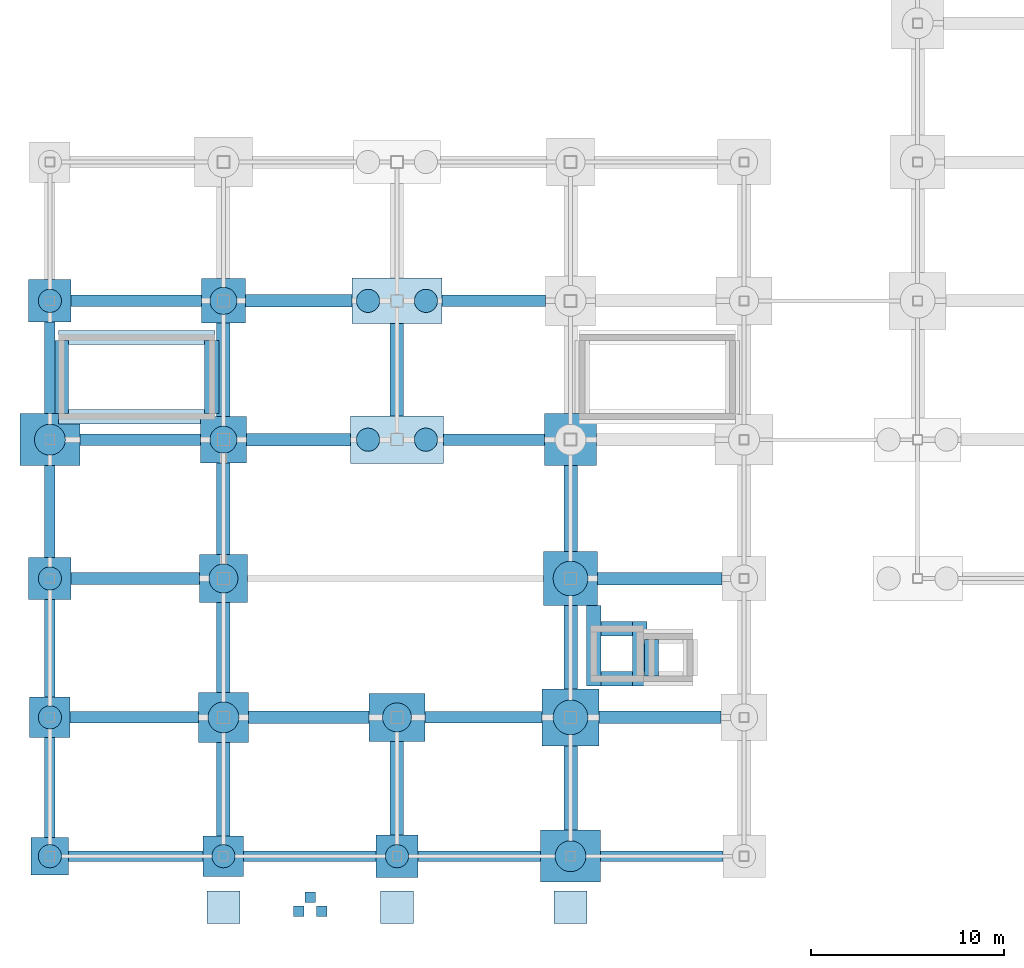
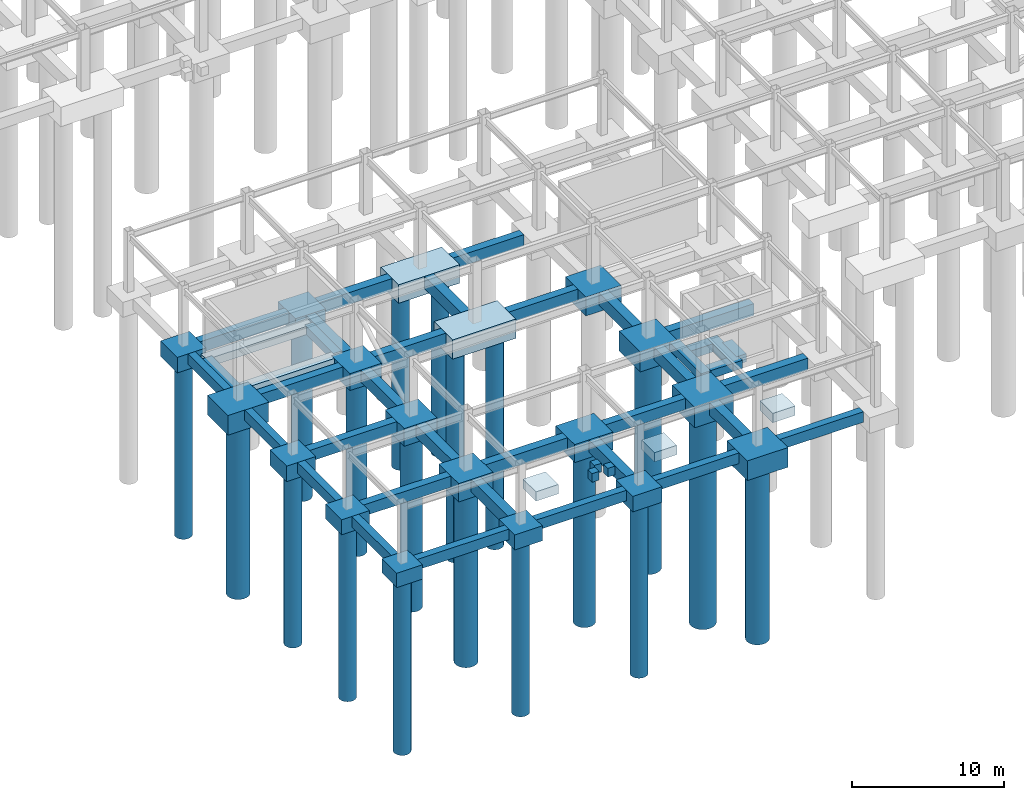
# One storey, part 1 of 28: 62 footings, 19 piles.
"""IFC4 building model written with IfcOpenShell, lengths in metres."""

import ifcopenshell
import ifcopenshell.guid

model = None  # the IFC model being written
_history = None  # IfcOwnerHistory: only IFC2X3 demands one
_inside = {}  # id of a spatial element -> (the spatial element, [elements in it])
_under = {}  # id of a project, library or spatial element -> (it, [spatial elements below it])
_declared = {}  # id of a project -> (the project, [libraries it declares])
_typed = {}  # id of a type object -> (the type object, [elements of that type])
_made_of = {}  # id of a material, layer set ... -> (it, [elements and type objects made of it])


def new_model(schema):
    """Start an empty IFC model of exactly this schema.

    Asked for "IFC4X3", IfcOpenShell would pick the latest addendum, in which some entities
    have other attributes; the version numbers below select the first issue.
    IFC2X3 requires an IfcOwnerHistory on every rooted entity: one is made here for all.
    """
    global model, _history
    if schema == "IFC4X3":
        model = ifcopenshell.file(schema_version=(4, 3, 0, 0))
    else:
        model = ifcopenshell.file(schema=schema)
    _inside.clear()
    _under.clear()
    _declared.clear()
    _typed.clear()
    _made_of.clear()
    _history = None
    if model.schema == "IFC2X3":
        org = make("IfcOrganization", Name="unknown")
        user = make(
            "IfcPersonAndOrganization",
            ThePerson=make("IfcPerson", FamilyName="unknown"),
            TheOrganization=org,
        )
        app = make(
            "IfcApplication",
            ApplicationDeveloper=org,
            Version="unknown",
            ApplicationFullName="unknown",
            ApplicationIdentifier="unknown",
        )
        _history = make(
            "IfcOwnerHistory",
            OwningUser=user,
            OwningApplication=app,
            ChangeAction="ADDED",
            CreationDate=0,
        )
    return model


def make(cls, **values):
    """One entity of the class cls with the attributes given. An attribute that is None is left unset."""
    return model.create_entity(
        cls, **{name: value for name, value in values.items() if value is not None}
    )


def rooted(cls, **values):
    """An entity with a GlobalId (a new one), such as an element, a storey or a relation."""
    return make(cls, GlobalId=ifcopenshell.guid.new(), OwnerHistory=_history, **values)


def si_unit(unit_type, name, prefix=None):
    """IfcSIUnit, for example si_unit("LENGTHUNIT", "METRE", prefix="MILLI")."""
    return make("IfcSIUnit", UnitType=unit_type, Prefix=prefix, Name=name)


def assignment(units):
    """IfcUnitAssignment: the units of a project."""
    return None if units is None else make("IfcUnitAssignment", Units=units)


def point(xyz):
    """IfcCartesianPoint."""
    return None if xyz is None else make("IfcCartesianPoint", Coordinates=xyz)


def direction(xyz):
    """IfcDirection."""
    return None if xyz is None else make("IfcDirection", DirectionRatios=xyz)


def frame(location, z_axis=None, x_axis=None):
    """IfcAxis2Placement3D, a coordinate frame: its origin and axes. An axis left out is left unset."""
    return make(
        "IfcAxis2Placement3D",
        Location=point(location),
        Axis=direction(z_axis),
        RefDirection=direction(x_axis),
    )


def frame_2d(location, x_axis=None):
    """IfcAxis2Placement2D, a coordinate frame in the plane: its origin and x axis."""
    return make(
        "IfcAxis2Placement2D", Location=point(location), RefDirection=direction(x_axis)
    )


def origin():
    """The frame at (0, 0, 0) with its axes left unset."""
    return frame((0.0, 0.0, 0.0))


def origin_2d():
    """The frame at (0, 0) in the plane with its x axis left unset."""
    return frame_2d((0.0, 0.0))


def place(relative_to, where):
    """IfcLocalPlacement: puts the frame where relative to a parent placement (None: the world)."""
    return make(
        "IfcLocalPlacement", PlacementRelTo=relative_to, RelativePlacement=where
    )


def context(
    kind, dimensions, precision=None, world=None, true_north=None, identifier=None
):
    """IfcGeometricRepresentationContext, for example the 3D "Model" context."""
    return make(
        "IfcGeometricRepresentationContext",
        ContextIdentifier=identifier,
        ContextType=kind,
        CoordinateSpaceDimension=dimensions,
        Precision=precision,
        WorldCoordinateSystem=world,
        TrueNorth=true_north,
    )


def subcontext(parent, identifier, kind, view, scale=None):
    """IfcGeometricRepresentationSubContext, for example "Body" below "Model"."""
    return make(
        "IfcGeometricRepresentationSubContext",
        ContextIdentifier=identifier,
        ContextType=kind,
        ParentContext=parent,
        TargetScale=scale,
        TargetView=view,
    )


def project(units=None, contexts=None):
    """IfcProject with its units and contexts."""
    return rooted(
        "IfcProject",
        Name="project",
        RepresentationContexts=contexts,
        UnitsInContext=assignment(units),
    )


def spatial(cls, under=None, at=None, **own):
    """A site, building, storey or space (cls), placed at a placement, below another one or the project."""
    s = rooted(cls, ObjectPlacement=at, **own)
    if under is not None:
        _under.setdefault(under.id(), (under, []))[1].append(s)
    return s


def profile(cls, at=None, kind="AREA", **sizes):
    """A parametric profile (cls). Its sizes go by their IFC names, for example OverallWidth=200.0."""
    return make(cls, ProfileType=kind, Position=at, **sizes)


def rectangle(**sizes):
    """IfcRectangleProfileDef."""
    return profile("IfcRectangleProfileDef", **sizes)


def circle(**sizes):
    """IfcCircleProfileDef."""
    return profile("IfcCircleProfileDef", **sizes)


def extrude(swept, where, along, depth):
    """IfcExtrudedAreaSolid: the profile swept, set in the frame where, extruded along a direction by depth."""
    return make(
        "IfcExtrudedAreaSolid",
        SweptArea=swept,
        Position=where,
        ExtrudedDirection=direction(along),
        Depth=depth,
    )


def shape(context_of_items, identifier, shape_type, items):
    """IfcShapeRepresentation: the items that make up one representation, for example the "Body"."""
    return make(
        "IfcShapeRepresentation",
        ContextOfItems=context_of_items,
        RepresentationIdentifier=identifier,
        RepresentationType=shape_type,
        Items=items,
    )


def material(Name=None, Category=None):
    """IfcMaterial."""
    return make("IfcMaterial", Name=Name, Category=Category)


def material_profile(
    of_material, cross_section, Name=None, Category=None, Priority=None
):
    """IfcMaterialProfile: a cross section and its material."""
    return make(
        "IfcMaterialProfile",
        Name=Name,
        Material=of_material,
        Profile=cross_section,
        Priority=Priority,
        Category=Category,
    )


def profile_set(profiles, Name=None, composite=None):
    """IfcMaterialProfileSet."""
    return make(
        "IfcMaterialProfileSet",
        Name=Name,
        MaterialProfiles=profiles,
        CompositeProfile=composite,
    )


def made_of(thing, what):
    """Note that an element or type object is made of a material, layer set ...; save() writes the relation."""
    if what is not None:
        _made_of.setdefault(what.id(), (what, []))[1].append(thing)
    return thing


def type_object(cls, material=None, **own):
    """A type object (cls), such as IfcWallType, which elements share."""
    return made_of(rooted(cls, **own), material)


def element(
    cls,
    number,
    at=None,
    inside=None,
    cuts=None,
    type_object=None,
    material=None,
    context=None,
    identifier="Body",
    shape_type=None,
    held_by="IfcProductDefinitionShape",
    body=None,
    shapes=None,
    **own,
):
    """One element of the class cls, such as IfcWall. Its Tag is "e" and its number.

    at: its placement. inside: the storey or other place that contains it. cuts: it is an
    opening in that element (IfcRelVoidsElement). A single representation is given by context,
    identifier, shape_type and body (its items); several are given by shapes. held_by: the class
    of the entity that holds the representations. save() writes the other relations.
    """
    e = rooted(cls, Tag="e%d" % number, ObjectPlacement=at, **own)
    if body is not None:
        shapes = [shape(context, identifier, shape_type, body)]
    if shapes is not None:
        e.Representation = make(held_by, Representations=shapes)
    if inside is not None:
        _inside.setdefault(inside.id(), (inside, []))[1].append(e)
    if cuts is not None:
        rooted(
            "IfcRelVoidsElement", RelatingBuildingElement=cuts, RelatedOpeningElement=e
        )
    if type_object is not None:
        _typed.setdefault(type_object.id(), (type_object, []))[1].append(e)
    return made_of(e, material)


def aggregate(whole, parts):
    """IfcRelAggregates: a whole, such as a stair, and the parts it consists of."""
    return rooted("IfcRelAggregates", RelatingObject=whole, RelatedObjects=parts)


def save(model, path):
    """Write the relations noted so far, then the file.

    IfcRelAggregates (storeys below a building ...), IfcRelContainedInSpatialStructure (elements
    in a storey), IfcRelDefinesByType, IfcRelAssociatesMaterial and IfcRelDeclares: one each for
    every whole, place, type object, material and project.
    """
    for whole, parts in _under.values():
        aggregate(whole, parts)
    for where, things in _inside.values():
        rooted(
            "IfcRelContainedInSpatialStructure",
            RelatedElements=things,
            RelatingStructure=where,
        )
    for kind, things in _typed.values():
        rooted("IfcRelDefinesByType", RelatedObjects=things, RelatingType=kind)
    for what, things in _made_of.values():
        rooted("IfcRelAssociatesMaterial", RelatedObjects=things, RelatingMaterial=what)
    for by, libraries in _declared.values():
        rooted("IfcRelDeclares", RelatingContext=by, RelatedDefinitions=libraries)
    model.write(path)


model = new_model("IFC4")

# Units and contexts
model_context = context("Model", 3, precision=1e-05, world=origin(), true_north=direction((0.0, 1.0)))
body_context = subcontext(model_context, "Body", "Model", "MODEL_VIEW")
ifc_project = project(units=[si_unit("LENGTHUNIT", "METRE"), si_unit("AREAUNIT", "SQUARE_METRE"), si_unit("VOLUMEUNIT", "CUBIC_METRE"), si_unit("PLANEANGLEUNIT", "RADIAN"), si_unit("MASSUNIT", "GRAM", prefix="KILO")], contexts=[model_context])

# Site, building, storey
site_placement = place(None, origin())
site = spatial("IfcSite", under=ifc_project, at=site_placement, CompositionType="ELEMENT")
building_placement = place(site_placement, origin())
building = spatial("IfcBuilding", under=site, at=building_placement, Name="Kazanami Central Library", CompositionType="ELEMENT")
storey_placement = place(building_placement, frame((0.0, 0.0, -4.89990234375)))
storey = spatial("IfcBuildingStorey", under=building, at=storey_placement, Name="B01", CompositionType="ELEMENT", Elevation=-4.89990234375)

# Footings
ifc_material_1 = material(Name="Concrete Fc36 (36 MPa)", Category="concrete")
ifc_material_profile_1 = material_profile(ifc_material_1, rectangle(XDim=0.550048828125, YDim=0.85009765625, at=origin_2d()), Name="RC-550x850")
ifc_profile_set_1 = profile_set([ifc_material_profile_1], Name="Concrete Fc36 (36 MPa)")
footing_type_1 = type_object("IfcFootingType", Name="FTG-GB-01", PredefinedType="FOOTING_BEAM", material=ifc_profile_set_1)
footing_1_placement = place(storey_placement, frame((0.97509765625, 0.0, -0.425048828125), z_axis=(1.0, 0.0, 0.0), x_axis=(0.0, 1.0, 0.0)))
element("IfcFooting", 1, at=footing_1_placement, inside=storey, type_object=footing_type_1, Name="Ground Tie Beam GB-01 A/1-2", PredefinedType="FOOTING_BEAM", context=body_context, shape_type="SweptSolid", body=[
    extrude(rectangle(XDim=0.550048828125, YDim=0.85009765625, at=origin_2d()), origin(), (0.0, 0.0, 1.0), 6.974853515625),
])
footing_2_placement = place(storey_placement, frame((10.050048828125, 0.0, -0.425048828125), z_axis=(1.0, 0.0, 0.0), x_axis=(0.0, 1.0, 0.0)))
element("IfcFooting", 2, at=footing_2_placement, inside=storey, type_object=footing_type_1, Name="Ground Tie Beam GB-01 A/2-3", PredefinedType="FOOTING_BEAM", context=body_context, shape_type="SweptSolid", body=[
    extrude(rectangle(XDim=0.550048828125, YDim=0.85009765625, at=origin_2d()), origin(), (0.0, 0.0, 1.0), 6.849853515625),
])
for number, where, z_axis, x_axis, name in (
    (3, (19.10009765625, 0.0, -0.425048828125), (1.0, 0.0, 0.0), (0.0, 1.0, 0.0), "Ground Tie Beam GB-01 A/3-4"),
    (4, (28.550048828125, 0.0, -0.425048828125), (1.0, 0.0, 0.0), (0.0, 1.0, 0.0), "Ground Tie Beam GB-01 A/4-5"),
):
    element("IfcFooting", number, at=place(storey_placement, frame(where, z_axis=z_axis, x_axis=x_axis)), inside=storey, type_object=footing_type_1, Name=name, PredefinedType="FOOTING_BEAM", context=body_context, shape_type="SweptSolid", body=[
        extrude(rectangle(XDim=0.550048828125, YDim=0.85009765625, at=origin_2d()), origin(), (0.0, 0.0, 1.0), 6.349853515625),
    ])
footing_3_placement = place(storey_placement, frame((0.0, 0.97509765625, -0.425048828125), z_axis=(0.0, 1.0, 0.0), x_axis=(-1.0, 0.0, 0.0)))
element("IfcFooting", 5, at=footing_3_placement, inside=storey, type_object=footing_type_1, Name="Ground Tie Beam GB-01 1/A-B", PredefinedType="FOOTING_BEAM", context=body_context, shape_type="SweptSolid", body=[
    extrude(rectangle(XDim=0.550048828125, YDim=0.85009765625, at=origin_2d()), origin(), (0.0, 0.0, 1.0), 5.1748046875),
])
footing_4_placement = place(storey_placement, frame((0.0, 8.25, -0.425048828125), z_axis=(0.0, 1.0, 0.0), x_axis=(-1.0, 0.0, 0.0)))
element("IfcFooting", 6, at=footing_4_placement, inside=storey, type_object=footing_type_1, Name="Ground Tie Beam GB-01 1/B-C", PredefinedType="FOOTING_BEAM", context=body_context, shape_type="SweptSolid", body=[
    extrude(rectangle(XDim=0.550048828125, YDim=0.85009765625, at=origin_2d()), origin(), (0.0, 0.0, 1.0), 5.050048828125),
])
for number, where, z_axis, x_axis, name in (
    (7, (0.0, 15.5, -0.425048828125), (0.0, 1.0, 0.0), (-1.0, 0.0, 0.0), "Ground Tie Beam GB-01 1/C-D"),
    (8, (0.0, 22.949951171875, -0.425048828125), (0.0, 1.0, 0.0), (-1.0, 0.0, 0.0), "Ground Tie Beam GB-01 1/D-E"),
):
    element("IfcFooting", number, at=place(storey_placement, frame(where, z_axis=z_axis, x_axis=x_axis)), inside=storey, type_object=footing_type_1, Name=name, PredefinedType="FOOTING_BEAM", context=body_context, shape_type="SweptSolid", body=[
        extrude(rectangle(XDim=0.550048828125, YDim=0.85009765625, at=origin_2d()), origin(), (0.0, 0.0, 1.0), 4.75),
    ])
ifc_material_profile_2 = material_profile(ifc_material_1, rectangle(XDim=0.60009765625, YDim=0.89990234375, at=origin_2d()), Name="RC-600x900")
ifc_profile_set_2 = profile_set([ifc_material_profile_2], Name="Concrete Fc36 (36 MPa)")
footing_type_2 = type_object("IfcFootingType", Name="FTG-GB-02", PredefinedType="FOOTING_BEAM", material=ifc_profile_set_2)
footing_5_placement = place(storey_placement, frame((1.050048828125, 7.199951171875, -0.4501953125), z_axis=(1.0, 0.0, 0.0), x_axis=(0.0, 1.0, 0.0)))
element("IfcFooting", 9, at=footing_5_placement, inside=storey, type_object=footing_type_2, Name="Ground Tie Beam GB-02 B/1-2", PredefinedType="FOOTING_BEAM", context=body_context, shape_type="SweptSolid", body=[
    extrude(rectangle(XDim=0.60009765625, YDim=0.89990234375, at=origin_2d()), origin(), (0.0, 0.0, 1.0), 6.64990234375),
])
footing_6_placement = place(storey_placement, frame((19.449951171875, 7.199951171875, -0.4501953125), z_axis=(1.0, 0.0, 0.0), x_axis=(0.0, 1.0, 0.0)))
element("IfcFooting", 10, at=footing_6_placement, inside=storey, type_object=footing_type_2, Name="Ground Tie Beam GB-02 B/3-4", PredefinedType="FOOTING_BEAM", context=body_context, shape_type="SweptSolid", body=[
    extrude(rectangle(XDim=0.60009765625, YDim=0.89990234375, at=origin_2d()), origin(), (0.0, 0.0, 1.0), 6.074951171875),
])
footing_7_placement = place(storey_placement, frame((1.10009765625, 14.39990234375, -0.4501953125), z_axis=(1.0, 0.0, 0.0), x_axis=(0.0, 1.0, 0.0)))
element("IfcFooting", 11, at=footing_7_placement, inside=storey, type_object=footing_type_2, Name="Ground Tie Beam GB-02 C/1-2", PredefinedType="FOOTING_BEAM", context=body_context, shape_type="SweptSolid", body=[
    extrude(rectangle(XDim=0.60009765625, YDim=0.89990234375, at=origin_2d()), origin(), (0.0, 0.0, 1.0), 6.64990234375),
])
footing_8_placement = place(storey_placement, frame((1.550048828125, 21.60009765625, -0.4501953125), z_axis=(1.0, 0.0, 0.0), x_axis=(0.0, 1.0, 0.0)))
element("IfcFooting", 12, at=footing_8_placement, inside=storey, type_object=footing_type_2, Name="Ground Tie Beam GB-02 D/1-2", PredefinedType="FOOTING_BEAM", context=body_context, shape_type="SweptSolid", body=[
    extrude(rectangle(XDim=0.60009765625, YDim=0.89990234375, at=origin_2d()), origin(), (0.0, 0.0, 1.0), 6.25),
])
footing_9_placement = place(storey_placement, frame((20.39990234375, 21.60009765625, -0.4501953125), z_axis=(1.0, 0.0, 0.0), x_axis=(0.0, 1.0, 0.0)))
element("IfcFooting", 13, at=footing_9_placement, inside=storey, type_object=footing_type_2, Name="Ground Tie Beam GB-02 D/3-4", PredefinedType="FOOTING_BEAM", context=body_context, shape_type="SweptSolid", body=[
    extrude(rectangle(XDim=0.60009765625, YDim=0.89990234375, at=origin_2d()), origin(), (0.0, 0.0, 1.0), 5.25),
])
footing_10_placement = place(storey_placement, frame((1.10009765625, 28.800048828125, -0.4501953125), z_axis=(1.0, 0.0, 0.0), x_axis=(0.0, 1.0, 0.0)))
element("IfcFooting", 14, at=footing_10_placement, inside=storey, type_object=footing_type_2, Name="Ground Tie Beam GB-02 E/1-2", PredefinedType="FOOTING_BEAM", context=body_context, shape_type="SweptSolid", body=[
    extrude(rectangle(XDim=0.60009765625, YDim=0.89990234375, at=origin_2d()), origin(), (0.0, 0.0, 1.0), 6.75),
])
footing_11_placement = place(storey_placement, frame((20.324951171875, 28.800048828125, -0.4501953125), z_axis=(1.0, 0.0, 0.0), x_axis=(0.0, 1.0, 0.0)))
element("IfcFooting", 15, at=footing_11_placement, inside=storey, type_object=footing_type_2, Name="Ground Tie Beam GB-02 E/3-4", PredefinedType="FOOTING_BEAM", context=body_context, shape_type="SweptSolid", body=[
    extrude(rectangle(XDim=0.60009765625, YDim=0.89990234375, at=origin_2d()), origin(), (0.0, 0.0, 1.0), 5.375),
])
ifc_material_profile_3 = material_profile(ifc_material_1, rectangle(XDim=0.64990234375, YDim=0.949951171875, at=origin_2d()), Name="RC-650x950")
ifc_profile_set_3 = profile_set([ifc_material_profile_3], Name="Concrete Fc36 (36 MPa)")
footing_type_3 = type_object("IfcFootingType", Name="FTG-GB-03", PredefinedType="FOOTING_BEAM", material=ifc_profile_set_3)
footing_12_placement = place(storey_placement, frame((10.300048828125, 7.199951171875, -0.47509765625), z_axis=(1.0, 0.0, 0.0), x_axis=(0.0, 1.0, 0.0)))
element("IfcFooting", 16, at=footing_12_placement, inside=storey, type_object=footing_type_3, Name="Ground Tie Beam GB-03 B/2-3", PredefinedType="FOOTING_BEAM", context=body_context, shape_type="SweptSolid", body=[
    extrude(rectangle(XDim=0.64990234375, YDim=0.949951171875, at=origin_2d()), origin(), (0.0, 0.0, 1.0), 6.25),
])
footing_13_placement = place(storey_placement, frame((28.47509765625, 7.199951171875, -0.47509765625), z_axis=(1.0, 0.0, 0.0), x_axis=(0.0, 1.0, 0.0)))
element("IfcFooting", 17, at=footing_13_placement, inside=storey, type_object=footing_type_3, Name="Ground Tie Beam GB-03 B/4-5", PredefinedType="FOOTING_BEAM", context=body_context, shape_type="SweptSolid", body=[
    extrude(rectangle(XDim=0.64990234375, YDim=0.949951171875, at=origin_2d()), origin(), (0.0, 0.0, 1.0), 6.324951171875),
])
footing_14_placement = place(storey_placement, frame((28.39990234375, 14.39990234375, -0.47509765625), z_axis=(1.0, 0.0, 0.0), x_axis=(0.0, 1.0, 0.0)))
element("IfcFooting", 18, at=footing_14_placement, inside=storey, type_object=footing_type_3, Name="Ground Tie Beam GB-03 C/4-5", PredefinedType="FOOTING_BEAM", context=body_context, shape_type="SweptSolid", body=[
    extrude(rectangle(XDim=0.64990234375, YDim=0.949951171875, at=origin_2d()), origin(), (0.0, 0.0, 1.0), 6.4501953125),
])
footing_15_placement = place(storey_placement, frame((10.199951171875, 21.60009765625, -0.47509765625), z_axis=(1.0, 0.0, 0.0), x_axis=(0.0, 1.0, 0.0)))
element("IfcFooting", 19, at=footing_15_placement, inside=storey, type_object=footing_type_3, Name="Ground Tie Beam GB-03 D/2-3", PredefinedType="FOOTING_BEAM", context=body_context, shape_type="SweptSolid", body=[
    extrude(rectangle(XDim=0.64990234375, YDim=0.949951171875, at=origin_2d()), origin(), (0.0, 0.0, 1.0), 5.400146484375),
])
footing_16_placement = place(storey_placement, frame((10.14990234375, 28.800048828125, -0.47509765625), z_axis=(1.0, 0.0, 0.0), x_axis=(0.0, 1.0, 0.0)))
element("IfcFooting", 20, at=footing_16_placement, inside=storey, type_object=footing_type_3, Name="Ground Tie Beam GB-03 E/2-3", PredefinedType="FOOTING_BEAM", context=body_context, shape_type="SweptSolid", body=[
    extrude(rectangle(XDim=0.64990234375, YDim=0.949951171875, at=origin_2d()), origin(), (0.0, 0.0, 1.0), 5.525146484375),
])
ifc_material_profile_4 = material_profile(ifc_material_1, rectangle(XDim=0.699951171875, YDim=1.0, at=origin_2d()), Name="RC-700x1000")
ifc_profile_set_4 = profile_set([ifc_material_profile_4], Name="Concrete Fc36 (36 MPa)")
footing_type_4 = type_object("IfcFootingType", Name="FTG-GB-04", PredefinedType="FOOTING_BEAM", material=ifc_profile_set_4)
footing_17_placement = place(storey_placement, frame((9.0, 1.050048828125, -0.5), z_axis=(0.0, 1.0, 0.0), x_axis=(-1.0, 0.0, 0.0)))
element("IfcFooting", 21, at=footing_17_placement, inside=storey, type_object=footing_type_4, Name="Ground Tie Beam GB-04 2/A-B", PredefinedType="FOOTING_BEAM", context=body_context, shape_type="SweptSolid", body=[
    extrude(rectangle(XDim=0.699951171875, YDim=1.0, at=origin_2d()), origin(), (0.0, 0.0, 1.0), 4.849853515625),
])
footing_18_placement = place(storey_placement, frame((9.0, 8.5, -0.5), z_axis=(0.0, 1.0, 0.0), x_axis=(-1.0, 0.0, 0.0)))
element("IfcFooting", 22, at=footing_18_placement, inside=storey, type_object=footing_type_4, Name="Ground Tie Beam GB-04 2/B-C", PredefinedType="FOOTING_BEAM", context=body_context, shape_type="SweptSolid", body=[
    extrude(rectangle(XDim=0.699951171875, YDim=1.0, at=origin_2d()), origin(), (0.0, 0.0, 1.0), 4.64990234375),
])
footing_19_placement = place(storey_placement, frame((9.0, 15.64990234375, -0.5), z_axis=(0.0, 1.0, 0.0), x_axis=(-1.0, 0.0, 0.0)))
element("IfcFooting", 23, at=footing_19_placement, inside=storey, type_object=footing_type_4, Name="Ground Tie Beam GB-04 2/C-D", PredefinedType="FOOTING_BEAM", context=body_context, shape_type="SweptSolid", body=[
    extrude(rectangle(XDim=0.699951171875, YDim=1.0, at=origin_2d()), origin(), (0.0, 0.0, 1.0), 4.75),
])
for number, where, z_axis, x_axis, name in (
    (24, (9.0, 22.800048828125, -0.5), (0.0, 1.0, 0.0), (-1.0, 0.0, 0.0), "Ground Tie Beam GB-04 2/D-E"),
    (25, (18.0, 1.10009765625, -0.5), (0.0, 1.0, 0.0), (-1.0, 0.0, 0.0), "Ground Tie Beam GB-04 3/A-B"),
):
    element("IfcFooting", number, at=place(storey_placement, frame(where, z_axis=z_axis, x_axis=x_axis)), inside=storey, type_object=footing_type_4, Name=name, PredefinedType="FOOTING_BEAM", context=body_context, shape_type="SweptSolid", body=[
        extrude(rectangle(XDim=0.699951171875, YDim=1.0, at=origin_2d()), origin(), (0.0, 0.0, 1.0), 4.849853515625),
    ])
footing_20_placement = place(storey_placement, frame((18.0, 22.824951171875, -0.5), z_axis=(0.0, 1.0, 0.0), x_axis=(-1.0, 0.0, 0.0)))
element("IfcFooting", 26, at=footing_20_placement, inside=storey, type_object=footing_type_4, Name="Ground Tie Beam GB-04 3/D-E", PredefinedType="FOOTING_BEAM", context=body_context, shape_type="SweptSolid", body=[
    extrude(rectangle(XDim=0.699951171875, YDim=1.0, at=origin_2d()), origin(), (0.0, 0.0, 1.0), 4.800048828125),
])
footing_21_placement = place(storey_placement, frame((27.0, 1.35009765625, -0.5), z_axis=(0.0, 1.0, 0.0), x_axis=(-1.0, 0.0, 0.0)))
element("IfcFooting", 27, at=footing_21_placement, inside=storey, type_object=footing_type_4, Name="Ground Tie Beam GB-04 4/A-B", PredefinedType="FOOTING_BEAM", context=body_context, shape_type="SweptSolid", body=[
    extrude(rectangle(XDim=0.699951171875, YDim=1.0, at=origin_2d()), origin(), (0.0, 0.0, 1.0), 4.375),
])
footing_22_placement = place(storey_placement, frame((27.0, 8.675048828125, -0.5), z_axis=(0.0, 1.0, 0.0), x_axis=(-1.0, 0.0, 0.0)))
element("IfcFooting", 28, at=footing_22_placement, inside=storey, type_object=footing_type_4, Name="Ground Tie Beam GB-04 4/B-C", PredefinedType="FOOTING_BEAM", context=body_context, shape_type="SweptSolid", body=[
    extrude(rectangle(XDim=0.699951171875, YDim=1.0, at=origin_2d()), origin(), (0.0, 0.0, 1.0), 4.324951171875),
])
footing_23_placement = place(storey_placement, frame((27.0, 15.800048828125, -0.5), z_axis=(0.0, 1.0, 0.0), x_axis=(-1.0, 0.0, 0.0)))
element("IfcFooting", 29, at=footing_23_placement, inside=storey, type_object=footing_type_4, Name="Ground Tie Beam GB-04 4/C-D", PredefinedType="FOOTING_BEAM", context=body_context, shape_type="SweptSolid", body=[
    extrude(rectangle(XDim=0.699951171875, YDim=1.0, at=origin_2d()), origin(), (0.0, 0.0, 1.0), 4.449951171875),
])
footing_type_5 = type_object("IfcFootingType", Name="FTG-PC-04", PredefinedType="PILE_CAP", material=ifc_material_1)
footing_24_placement = place(storey_placement, frame((18.0, 21.60009765625, -1.55029296875), z_axis=(0.0, 0.0, 1.0), x_axis=(1.0, 0.0, 0.0)))
element("IfcFooting", 30, at=footing_24_placement, inside=storey, type_object=footing_type_5, Name="Pile Cap PC-04 at 3/D", PredefinedType="PILE_CAP", context=body_context, shape_type="SweptSolid", body=[
    extrude(rectangle(XDim=4.800048828125, YDim=2.449951171875, at=origin_2d()), origin(), (0.0, 0.0, 1.0), 1.550048828125),
])
footing_type_6 = type_object("IfcFootingType", Name="FTG-PC-05", PredefinedType="PILE_CAP", material=ifc_material_1)
footing_25_placement = place(storey_placement, frame((18.0, 28.800048828125, -1.47998046875), z_axis=(0.0, 0.0, 1.0), x_axis=(1.0, 0.0, 0.0)))
element("IfcFooting", 31, at=footing_25_placement, inside=storey, type_object=footing_type_6, Name="Pile Cap PC-05 at 3/E", PredefinedType="PILE_CAP", context=body_context, shape_type="SweptSolid", body=[
    extrude(rectangle(XDim=4.64990234375, YDim=2.35009765625, at=origin_2d()), origin(), (0.0, 0.0, 1.0), 1.47998046875),
])
footing_type_7 = type_object("IfcFootingType", Name="FTG-PC-07", PredefinedType="PILE_CAP", material=ifc_material_1)
footing_26_placement = place(storey_placement, frame((27.0, 7.199951171875, -1.650146484375), z_axis=(0.0, 0.0, 1.0), x_axis=(1.0, 0.0, 0.0)))
element("IfcFooting", 32, at=footing_26_placement, inside=storey, type_object=footing_type_7, Name="Pile Cap PC-07 at 4/B", PredefinedType="PILE_CAP", context=body_context, shape_type="SweptSolid", body=[
    extrude(rectangle(XDim=2.949951171875, YDim=2.949951171875, at=origin_2d()), origin(), (0.0, 0.0, 1.0), 1.64990234375),
])
footing_type_8 = type_object("IfcFootingType", Name="FTG-PC-08", PredefinedType="PILE_CAP", material=ifc_material_1)
footing_27_placement = place(storey_placement, frame((27.0, 14.39990234375, -1.60009765625), z_axis=(0.0, 0.0, 1.0), x_axis=(1.0, 0.0, 0.0)))
element("IfcFooting", 33, at=footing_27_placement, inside=storey, type_object=footing_type_8, Name="Pile Cap PC-08 at 4/C", PredefinedType="PILE_CAP", context=body_context, shape_type="SweptSolid", body=[
    extrude(rectangle(XDim=2.800048828125, YDim=2.800048828125, at=origin_2d()), origin(), (0.0, 0.0, 1.0), 1.60009765625),
])
footing_type_9 = type_object("IfcFootingType", Name="FTG-PC-09", PredefinedType="PILE_CAP", material=ifc_material_1)
footing_28_placement = place(storey_placement, frame((27.0, 21.60009765625, -1.52001953125), z_axis=(0.0, 0.0, 1.0), x_axis=(1.0, 0.0, 0.0)))
element("IfcFooting", 34, at=footing_28_placement, inside=storey, type_object=footing_type_9, Name="Pile Cap PC-09 at 4/D", PredefinedType="PILE_CAP", context=body_context, shape_type="SweptSolid", body=[
    extrude(rectangle(XDim=2.699951171875, YDim=2.699951171875, at=origin_2d()), origin(), (0.0, 0.0, 1.0), 1.52001953125),
])
footing_type_10 = type_object("IfcFootingType", Name="FTG-PC-10", PredefinedType="PILE_CAP", material=ifc_material_1)
footing_29_placement = place(storey_placement, frame((9.0, 7.199951171875, -1.47998046875), z_axis=(0.0, 0.0, 1.0), x_axis=(1.0, 0.0, 0.0)))
element("IfcFooting", 35, at=footing_29_placement, inside=storey, type_object=footing_type_10, Name="Pile Cap PC-10 at 2/B", PredefinedType="PILE_CAP", context=body_context, shape_type="SweptSolid", body=[
    extrude(rectangle(XDim=2.60009765625, YDim=2.60009765625, at=origin_2d()), origin(), (0.0, 0.0, 1.0), 1.47998046875),
])
footing_type_11 = type_object("IfcFootingType", Name="FTG-PC-11", PredefinedType="PILE_CAP", material=ifc_material_1)
footing_30_placement = place(storey_placement, frame((9.0, 14.39990234375, -1.420166015625), z_axis=(0.0, 0.0, 1.0), x_axis=(1.0, 0.0, 0.0)))
element("IfcFooting", 36, at=footing_30_placement, inside=storey, type_object=footing_type_11, Name="Pile Cap PC-11 at 2/C", PredefinedType="PILE_CAP", context=body_context, shape_type="SweptSolid", body=[
    extrude(rectangle(XDim=2.5, YDim=2.5, at=origin_2d()), origin(), (0.0, 0.0, 1.0), 1.419921875),
])
footing_type_12 = type_object("IfcFootingType", Name="FTG-PC-12", PredefinedType="PILE_CAP", material=ifc_material_1)
footing_31_placement = place(storey_placement, frame((9.0, 21.60009765625, -1.3603515625), z_axis=(0.0, 0.0, 1.0), x_axis=(1.0, 0.0, 0.0)))
element("IfcFooting", 37, at=footing_31_placement, inside=storey, type_object=footing_type_12, Name="Pile Cap PC-12 at 2/D", PredefinedType="PILE_CAP", context=body_context, shape_type="SweptSolid", body=[
    extrude(rectangle(XDim=2.39990234375, YDim=2.39990234375, at=origin_2d()), origin(), (0.0, 0.0, 1.0), 1.360107421875),
])
footing_type_13 = type_object("IfcFootingType", Name="FTG-PC-13", PredefinedType="PILE_CAP", material=ifc_material_1)
footing_32_placement = place(storey_placement, frame((9.0, 28.800048828125, -1.30029296875), z_axis=(0.0, 0.0, 1.0), x_axis=(1.0, 0.0, 0.0)))
element("IfcFooting", 38, at=footing_32_placement, inside=storey, type_object=footing_type_13, Name="Pile Cap PC-13 at 2/E", PredefinedType="PILE_CAP", context=body_context, shape_type="SweptSolid", body=[
    extrude(rectangle(XDim=2.300048828125, YDim=2.300048828125, at=origin_2d()), origin(), (0.0, 0.0, 1.0), 1.300048828125),
])
footing_type_14 = type_object("IfcFootingType", Name="FTG-PC-14", PredefinedType="PILE_CAP", material=ifc_material_1)
for number, where, z_axis, x_axis, name in (
    (39, (0.0, 14.39990234375, -1.25), (0.0, 0.0, 1.0), (1.0, 0.0, 0.0), "Pile Cap PC-14 at 1/C"),
    (40, (0.0, 28.800048828125, -1.25), (0.0, 0.0, 1.0), (1.0, 0.0, 0.0), "Pile Cap PC-14 at 1/E"),
    (41, (18.0, 0.0, -1.25), (0.0, 0.0, 1.0), (1.0, 0.0, 0.0), "Pile Cap PC-14 at 3/A"),
):
    element("IfcFooting", number, at=place(storey_placement, frame(where, z_axis=z_axis, x_axis=x_axis)), inside=storey, type_object=footing_type_14, Name=name, PredefinedType="PILE_CAP", context=body_context, shape_type="SweptSolid", body=[
        extrude(rectangle(XDim=2.199951171875, YDim=2.199951171875, at=origin_2d()), origin(), (0.0, 0.0, 1.0), 1.25),
    ])
footing_type_15 = type_object("IfcFootingType", Name="FTG-PC-15", PredefinedType="PILE_CAP", material=ifc_material_1)
for number, where, z_axis, x_axis, name in (
    (42, (0.0, 7.199951171875, -1.2001953125), (0.0, 0.0, 1.0), (1.0, 0.0, 0.0), "Pile Cap PC-15 at 1/B"),
    (43, (9.0, 0.0, -1.2001953125), (0.0, 0.0, 1.0), (1.0, 0.0, 0.0), "Pile Cap PC-15 at 2/A"),
):
    element("IfcFooting", number, at=place(storey_placement, frame(where, z_axis=z_axis, x_axis=x_axis)), inside=storey, type_object=footing_type_15, Name=name, PredefinedType="PILE_CAP", context=body_context, shape_type="SweptSolid", body=[
        extrude(rectangle(XDim=2.10009765625, YDim=2.10009765625, at=origin_2d()), origin(), (0.0, 0.0, 1.0), 1.199951171875),
    ])
footing_type_16 = type_object("IfcFootingType", Name="FTG-PC-16", PredefinedType="PILE_CAP", material=ifc_material_1)
footing_33_placement = place(storey_placement, frame((0.0, 0.0, -1.150146484375), z_axis=(0.0, 0.0, 1.0), x_axis=(1.0, 0.0, 0.0)))
element("IfcFooting", 44, at=footing_33_placement, inside=storey, type_object=footing_type_16, Name="Pile Cap PC-16 at 1/A", PredefinedType="PILE_CAP", context=body_context, shape_type="SweptSolid", body=[
    extrude(rectangle(XDim=1.949951171875, YDim=1.949951171875, at=origin_2d()), origin(), (0.0, 0.0, 1.0), 1.14990234375),
])
footing_type_17 = type_object("IfcFootingType", Name="FTG-PC-17", PredefinedType="PILE_CAP", material=ifc_material_1)
for number, where, z_axis, x_axis, name in (
    (45, (0.0, 21.60009765625, -1.580078125), (0.0, 0.0, 1.0), (1.0, 0.0, 0.0), "Pile Cap PC-17 at 1/D"),
    (46, (27.0, 0.0, -1.580078125), (0.0, 0.0, 1.0), (1.0, 0.0, 0.0), "Pile Cap PC-17 at 4/A"),
):
    element("IfcFooting", number, at=place(storey_placement, frame(where, z_axis=z_axis, x_axis=x_axis)), inside=storey, type_object=footing_type_17, Name=name, PredefinedType="PILE_CAP", context=body_context, shape_type="SweptSolid", body=[
        extrude(rectangle(XDim=3.10009765625, YDim=2.699951171875, at=origin_2d()), origin(), (0.0, 0.0, 1.0), 1.580078125),
    ])
footing_type_18 = type_object("IfcFootingType", Name="FTG-PC-19", PredefinedType="PILE_CAP", material=ifc_material_1)
footing_34_placement = place(storey_placement, frame((18.0, 7.199951171875, -1.440185546875), z_axis=(0.0, 0.0, 1.0), x_axis=(1.0, 0.0, 0.0)))
element("IfcFooting", 47, at=footing_34_placement, inside=storey, type_object=footing_type_18, Name="Pile Cap PC-19 at 3/B", PredefinedType="PILE_CAP", context=body_context, shape_type="SweptSolid", body=[
    extrude(rectangle(XDim=2.89990234375, YDim=2.5, at=origin_2d()), origin(), (0.0, 0.0, 1.0), 1.43994140625),
])
ifc_material_2 = material(Name="Concrete Fc30 (30 MPa)", Category="concrete")
footing_type_19 = type_object("IfcFootingType", Name="FTG-PF-01", PredefinedType="PAD_FOOTING", material=ifc_material_2)
for number, where, z_axis, x_axis, name in (
    (48, (9.0, -2.64990234375, 4.125), (0.0, 0.0, 1.0), (1.0, 0.0, 0.0), "Canopy Post Pad Footing CAN-V3-SW X=9"),
    (49, (18.0, -2.64990234375, 4.125), (0.0, 0.0, 1.0), (1.0, 0.0, 0.0), "Canopy Post Pad Footing CAN-V3-SW X=18"),
    (50, (27.0, -2.64990234375, 4.125), (0.0, 0.0, 1.0), (1.0, 0.0, 0.0), "Canopy Post Pad Footing CAN-V3-SW X=27"),
):
    element("IfcFooting", number, at=place(storey_placement, frame(where, z_axis=z_axis, x_axis=x_axis)), inside=storey, type_object=footing_type_19, Name=name, PredefinedType="PAD_FOOTING", context=body_context, shape_type="SweptSolid", body=[
        extrude(rectangle(XDim=1.699951171875, YDim=1.699951171875, at=origin_2d()), origin(), (0.0, 0.0, 1.0), 0.75),
    ])
footing_type_20 = type_object("IfcFootingType", Name="FTG-PF-R1", PredefinedType="PAD_FOOTING", material=ifc_material_2)
for number, where, z_axis, x_axis, name in (
    (51, (12.89990234375, -2.85009765625, 3.85009765625), (0.0, 0.0, 1.0), (1.0, 0.0, 0.0), "Ramp Apron Pad Footing RMP-CANAL-SW.1"),
    (52, (14.10009765625, -2.85009765625, 3.85009765625), (0.0, 0.0, 1.0), (1.0, 0.0, 0.0), "Ramp Apron Pad Footing RMP-CANAL-SW.2"),
    (53, (13.5, -2.1201171875, 3.85009765625), (0.0, 0.0, 1.0), (1.0, 0.0, 0.0), "Ramp Apron Pad Footing RMP-CANAL-SW.3"),
):
    element("IfcFooting", number, at=place(storey_placement, frame(where, z_axis=z_axis, x_axis=x_axis)), inside=storey, type_object=footing_type_20, Name=name, PredefinedType="PAD_FOOTING", context=body_context, shape_type="SweptSolid", body=[
        extrude(rectangle(XDim=0.550048828125, YDim=0.550048828125, at=origin_2d()), origin(), (0.0, 0.0, 1.0), 0.699951171875),
    ])
ifc_material_profile_5 = material_profile(ifc_material_1, rectangle(XDim=0.75, YDim=0.64990234375, at=origin_2d()), Name="RC-750x650")
ifc_profile_set_5 = profile_set([ifc_material_profile_5], Name="Concrete Fc36 (36 MPa)")
footing_type_21 = type_object("IfcFootingType", Name="FTG-SF-750", PredefinedType="STRIP_FOOTING", material=ifc_profile_set_5)
for number, where, z_axis, x_axis, name in (
    (54, (0.449951171875, 22.800048828125, -0.3251953125), (1.0, 0.0, 0.0), (0.0, 1.0, 0.0), "Stair Core Strip Footing ST-07 S"),
    (55, (0.449951171875, 26.89990234375, -0.3251953125), (1.0, 0.0, 0.0), (0.0, 1.0, 0.0), "Stair Core Strip Footing ST-07 N"),
):
    element("IfcFooting", number, at=place(storey_placement, frame(where, z_axis=z_axis, x_axis=x_axis)), inside=storey, type_object=footing_type_21, Name=name, PredefinedType="STRIP_FOOTING", context=body_context, shape_type="SweptSolid", body=[
        extrude(rectangle(XDim=0.75, YDim=0.64990234375, at=origin_2d()), origin(), (0.0, 0.0, 1.0), 8.10009765625),
    ])
for number, where, z_axis, x_axis, name in (
    (56, (0.60009765625, 22.949951171875, -0.3251953125), (0.0, 1.0, 0.0), (-1.0, 0.0, 0.0), "Stair Core Strip Footing ST-07 W"),
    (57, (8.39990234375, 22.949951171875, -0.3251953125), (0.0, 1.0, 0.0), (-1.0, 0.0, 0.0), "Stair Core Strip Footing ST-07 E"),
):
    element("IfcFooting", number, at=place(storey_placement, frame(where, z_axis=z_axis, x_axis=x_axis)), inside=storey, type_object=footing_type_21, Name=name, PredefinedType="STRIP_FOOTING", context=body_context, shape_type="SweptSolid", body=[
        extrude(rectangle(XDim=0.75, YDim=0.64990234375, at=origin_2d()), origin(), (0.0, 0.0, 1.0), 3.800048828125),
    ])
for number, where, z_axis, x_axis, name in (
    (58, (28.574951171875, 9.199951171875, -0.3251953125), (1.0, 0.0, 0.0), (0.0, 1.0, 0.0), "Lift Pit Strip Footing EL-P5 S"),
    (59, (28.574951171875, 11.800048828125, -0.3251953125), (1.0, 0.0, 0.0), (0.0, 1.0, 0.0), "Lift Pit Strip Footing EL-P5 N"),
):
    element("IfcFooting", number, at=place(storey_placement, frame(where, z_axis=z_axis, x_axis=x_axis)), inside=storey, type_object=footing_type_21, Name=name, PredefinedType="STRIP_FOOTING", context=body_context, shape_type="SweptSolid", body=[
        extrude(rectangle(XDim=0.75, YDim=0.64990234375, at=origin_2d()), origin(), (0.0, 0.0, 1.0), 1.650146484375),
    ])
footing_35_placement = place(storey_placement, frame((28.199951171875, 8.824951171875, -0.3251953125), z_axis=(0.0, 1.0, 0.0), x_axis=(-1.0, 0.0, 0.0)))
element("IfcFooting", 60, at=footing_35_placement, inside=storey, type_object=footing_type_21, Name="Lift Pit Strip Footing EL-P5 W", PredefinedType="STRIP_FOOTING", context=body_context, shape_type="SweptSolid", body=[
    extrude(rectangle(XDim=0.75, YDim=0.64990234375, at=origin_2d()), origin(), (0.0, 0.0, 1.0), 4.175048828125),
])
footing_36_placement = place(storey_placement, frame((30.60009765625, 8.824951171875, -0.3251953125), z_axis=(0.0, 1.0, 0.0), x_axis=(-1.0, 0.0, 0.0)))
element("IfcFooting", 61, at=footing_36_placement, inside=storey, type_object=footing_type_21, Name="Lift Pit Strip Footing EL-P5 E", PredefinedType="STRIP_FOOTING", context=body_context, shape_type="SweptSolid", body=[
    extrude(rectangle(XDim=0.75, YDim=0.64990234375, at=origin_2d()), origin(), (0.0, 0.0, 1.0), 3.35009765625),
])
footing_37_placement = place(storey_placement, frame((31.199951171875, 9.35009765625, -0.3251953125), z_axis=(0.0, 1.0, 0.0), x_axis=(-1.0, 0.0, 0.0)))
element("IfcFooting", 62, at=footing_37_placement, inside=storey, type_object=footing_type_21, Name="Riser Shaft Strip Footing RSR-V3-A W", PredefinedType="STRIP_FOOTING", context=body_context, shape_type="SweptSolid", body=[
    extrude(rectangle(XDim=0.75, YDim=0.64990234375, at=origin_2d()), origin(), (0.0, 0.0, 1.0), 1.89990234375),
])

# Piles
ifc_material_profile_6 = material_profile(ifc_material_1, circle(Radius=0.60009765625, at=origin_2d()), Name="BORED-D1200")
ifc_profile_set_6 = profile_set([ifc_material_profile_6], Name="Concrete Fc36 (36 MPa)")
pile_type_1 = type_object("IfcPileType", Name="PIL-PL-12", PredefinedType="BORED", material=ifc_profile_set_6)
for number, where, z_axis, x_axis, name in (
    (63, (0.0, 0.0, -1.150146484375), (0.0, 0.0, -1.0), (1.0, 0.0, 0.0), "Bored Pile PL-12 1/A-1"),
    (64, (0.0, 7.199951171875, -1.2001953125), (0.0, 0.0, -1.0), (1.0, 0.0, 0.0), "Bored Pile PL-12 1/B-1"),
    (65, (0.0, 14.39990234375, -1.25), (0.0, 0.0, -1.0), (1.0, 0.0, 0.0), "Bored Pile PL-12 1/C-1"),
    (66, (0.0, 28.800048828125, -1.25), (0.0, 0.0, -1.0), (1.0, 0.0, 0.0), "Bored Pile PL-12 1/E-1"),
    (67, (9.0, 0.0, -1.2001953125), (0.0, 0.0, -1.0), (1.0, 0.0, 0.0), "Bored Pile PL-12 2/A-1"),
    (68, (18.0, 0.0, -1.25), (0.0, 0.0, -1.0), (1.0, 0.0, 0.0), "Bored Pile PL-12 3/A-1"),
):
    element("IfcPile", number, at=place(storey_placement, frame(where, z_axis=z_axis, x_axis=x_axis)), inside=storey, type_object=pile_type_1, Name=name, PredefinedType="BORED", context=body_context, shape_type="SweptSolid", body=[
        extrude(circle(Radius=0.60009765625, at=origin_2d()), origin(), (0.0, 0.0, 1.0), 14.0),
    ])
for number, where, z_axis, x_axis, name in (
    (69, (16.5, 21.60009765625, -1.550048828125), (0.0, 0.0, -1.0), (1.0, 0.0, 0.0), "Bored Pile PL-12 3/D-1"),
    (70, (19.5, 21.60009765625, -1.550048828125), (0.0, 0.0, -1.0), (1.0, 0.0, 0.0), "Bored Pile PL-12 3/D-2"),
):
    element("IfcPile", number, at=place(storey_placement, frame(where, z_axis=z_axis, x_axis=x_axis)), inside=storey, type_object=pile_type_1, Name=name, PredefinedType="BORED", context=body_context, shape_type="SweptSolid", body=[
        extrude(circle(Radius=0.60009765625, at=origin_2d()), origin(), (0.0, 0.0, 1.0), 17.0),
    ])
for number, where, z_axis, x_axis, name in (
    (71, (16.5, 28.800048828125, -1.47998046875), (0.0, 0.0, -1.0), (1.0, 0.0, 0.0), "Bored Pile PL-12 3/E-1"),
    (72, (19.5, 28.800048828125, -1.47998046875), (0.0, 0.0, -1.0), (1.0, 0.0, 0.0), "Bored Pile PL-12 3/E-2"),
):
    element("IfcPile", number, at=place(storey_placement, frame(where, z_axis=z_axis, x_axis=x_axis)), inside=storey, type_object=pile_type_1, Name=name, PredefinedType="BORED", context=body_context, shape_type="SweptSolid", body=[
        extrude(circle(Radius=0.60009765625, at=origin_2d()), origin(), (0.0, 0.0, 1.0), 14.0),
    ])
ifc_material_profile_7 = material_profile(ifc_material_1, circle(Radius=0.699951171875, at=origin_2d()), Name="BORED-D1400")
ifc_profile_set_7 = profile_set([ifc_material_profile_7], Name="Concrete Fc36 (36 MPa)")
pile_type_2 = type_object("IfcPileType", Name="PIL-PL-14", PredefinedType="BORED", material=ifc_profile_set_7)
for number, where, z_axis, x_axis, name in (
    (73, (9.0, 21.60009765625, -1.360107421875), (0.0, 0.0, -1.0), (1.0, 0.0, 0.0), "Bored Pile PL-14 2/D-1"),
    (74, (9.0, 28.800048828125, -1.300048828125), (0.0, 0.0, -1.0), (1.0, 0.0, 0.0), "Bored Pile PL-14 2/E-1"),
):
    element("IfcPile", number, at=place(storey_placement, frame(where, z_axis=z_axis, x_axis=x_axis)), inside=storey, type_object=pile_type_2, Name=name, PredefinedType="BORED", context=body_context, shape_type="SweptSolid", body=[
        extrude(circle(Radius=0.699951171875, at=origin_2d()), origin(), (0.0, 0.0, 1.0), 14.0),
    ])
ifc_material_profile_8 = material_profile(ifc_material_1, circle(Radius=0.75, at=origin_2d()), Name="BORED-D1500")
ifc_profile_set_8 = profile_set([ifc_material_profile_8], Name="Concrete Fc36 (36 MPa)")
pile_type_3 = type_object("IfcPileType", Name="PIL-PL-15", PredefinedType="BORED", material=ifc_profile_set_8)
for number, where, z_axis, x_axis, name in (
    (75, (9.0, 14.39990234375, -1.420166015625), (0.0, 0.0, -1.0), (1.0, 0.0, 0.0), "Bored Pile PL-15 2/C-1"),
    (76, (18.0, 7.199951171875, -1.440185546875), (0.0, 0.0, -1.0), (1.0, 0.0, 0.0), "Bored Pile PL-15 3/B-1"),
):
    element("IfcPile", number, at=place(storey_placement, frame(where, z_axis=z_axis, x_axis=x_axis)), inside=storey, type_object=pile_type_3, Name=name, PredefinedType="BORED", context=body_context, shape_type="SweptSolid", body=[
        extrude(circle(Radius=0.75, at=origin_2d()), origin(), (0.0, 0.0, 1.0), 14.0),
    ])
ifc_material_profile_9 = material_profile(ifc_material_1, circle(Radius=0.800048828125, at=origin_2d()), Name="BORED-D1600")
ifc_profile_set_9 = profile_set([ifc_material_profile_9], Name="Concrete Fc36 (36 MPa)")
pile_type_4 = type_object("IfcPileType", Name="PIL-PL-16", PredefinedType="BORED", material=ifc_profile_set_9)
for number, where, z_axis, x_axis, name in (
    (77, (0.0, 21.60009765625, -1.580078125), (0.0, 0.0, -1.0), (1.0, 0.0, 0.0), "Bored Pile PL-16 1/D-1"),
    (78, (9.0, 7.199951171875, -1.47998046875), (0.0, 0.0, -1.0), (1.0, 0.0, 0.0), "Bored Pile PL-16 2/B-1"),
    (79, (27.0, 0.0, -1.580078125), (0.0, 0.0, -1.0), (1.0, 0.0, 0.0), "Bored Pile PL-16 4/A-1"),
):
    element("IfcPile", number, at=place(storey_placement, frame(where, z_axis=z_axis, x_axis=x_axis)), inside=storey, type_object=pile_type_4, Name=name, PredefinedType="BORED", context=body_context, shape_type="SweptSolid", body=[
        extrude(circle(Radius=0.800048828125, at=origin_2d()), origin(), (0.0, 0.0, 1.0), 14.0),
    ])
ifc_material_profile_10 = material_profile(ifc_material_1, circle(Radius=0.89990234375, at=origin_2d()), Name="BORED-D1800")
ifc_profile_set_10 = profile_set([ifc_material_profile_10], Name="Concrete Fc36 (36 MPa)")
pile_type_5 = type_object("IfcPileType", Name="PIL-PL-18", PredefinedType="BORED", material=ifc_profile_set_10)
for number, where, z_axis, x_axis, name in (
    (80, (27.0, 7.199951171875, -1.650146484375), (0.0, 0.0, -1.0), (1.0, 0.0, 0.0), "Bored Pile PL-18 4/B-1"),
    (81, (27.0, 14.39990234375, -1.60009765625), (0.0, 0.0, -1.0), (1.0, 0.0, 0.0), "Bored Pile PL-18 4/C-1"),
):
    element("IfcPile", number, at=place(storey_placement, frame(where, z_axis=z_axis, x_axis=x_axis)), inside=storey, type_object=pile_type_5, Name=name, PredefinedType="BORED", context=body_context, shape_type="SweptSolid", body=[
        extrude(circle(Radius=0.89990234375, at=origin_2d()), origin(), (0.0, 0.0, 1.0), 17.0),
    ])

save(model, "model.ifc")
